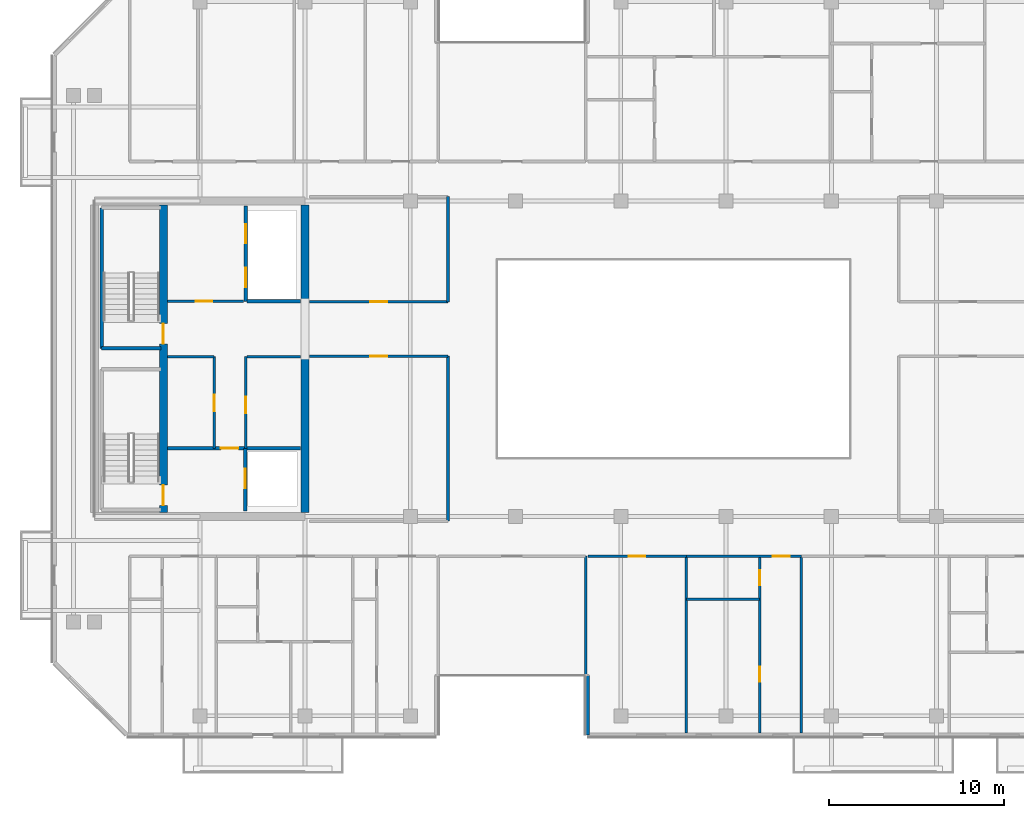
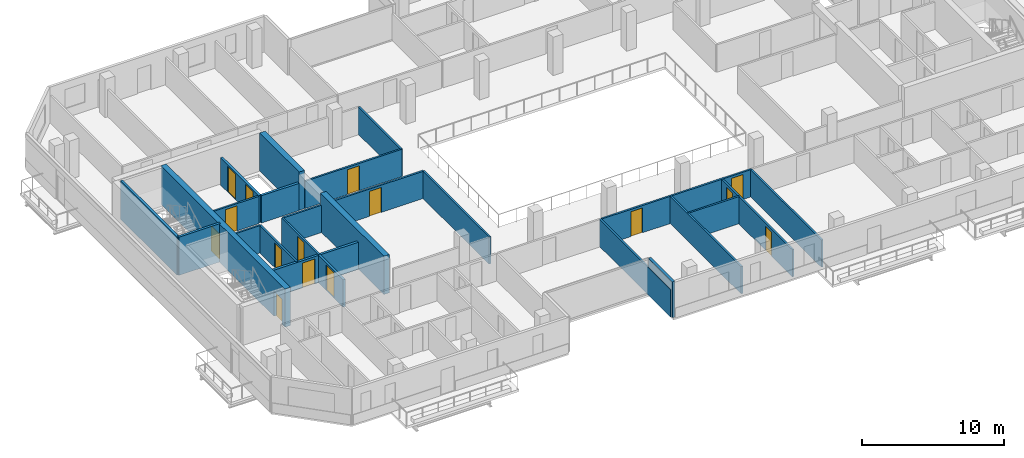
# One storey, part 11 of 20: 26 walls, 15 doors, 15 openings.
"""IFC4 building model written with IfcOpenShell, lengths in metres."""

from ifc_helpers import new_model, si_unit, direction, frame, frame_2d, origin, place, context, subcontext, project, spatial, rectangle, extrude, material, layer, layer_set, type_object, element, fill, save


model = new_model("IFC4")

# Units and contexts
model_context = context("Model", 3, precision=1e-05, world=origin(), true_north=direction((0.0, 1.0)))
body_context = subcontext(model_context, "Body", "Model", "MODEL_VIEW")
ifc_project = project(units=[si_unit("LENGTHUNIT", "METRE"), si_unit("AREAUNIT", "SQUARE_METRE"), si_unit("VOLUMEUNIT", "CUBIC_METRE"), si_unit("PLANEANGLEUNIT", "RADIAN"), si_unit("MASSUNIT", "GRAM", prefix="KILO")], contexts=[model_context])

# Site, building, storey
site_placement = place(None, origin())
site = spatial("IfcSite", under=ifc_project, at=site_placement, CompositionType="ELEMENT")
building_placement = place(site_placement, origin())
building = spatial("IfcBuilding", under=site, at=building_placement, Name="Tanjung Sevakor Pilgrim Tower", CompositionType="ELEMENT")
storey_placement = place(building_placement, frame((0.0, 0.0, 201.6298828125)))
storey = spatial("IfcBuildingStorey", under=building, at=storey_placement, Name="L56", CompositionType="ELEMENT", Elevation=201.6298828125)

# Walls
ifc_material_1 = material(Name="Concrete C60/75", Category="concrete")
ifc_layer_1 = layer(ifc_material_1, 0.449951171875)
ifc_layer_set_1 = layer_set([ifc_layer_1], Name="WALL-CW-450")
wall_type_1 = type_object("IfcWallType", Name="WALL-CW-450", PredefinedType="SHEAR", material=ifc_layer_set_1)
wall_1_placement = place(storey_placement, frame((36.0, 24.824951171875, 0.0), z_axis=(0.0, 0.0, 1.0), x_axis=(0.0, 1.0, 0.0)))
element("IfcWall", 1, at=wall_1_placement, inside=storey, type_object=wall_type_1, Name="L56 W Core Inner Shear Wall South", PredefinedType="SHEAR", context=body_context, shape_type="SweptSolid", body=[
    extrude(rectangle(XDim=8.97509765625, YDim=0.449951171875, at=frame_2d((4.487548828125, 0.0))), origin(), (0.0, 0.0, 1.0), 3.300048828125),
])
wall_2_placement = place(storey_placement, frame((36.0, 36.800048828125, 0.0), z_axis=(0.0, 0.0, 1.0), x_axis=(0.0, 1.0, 0.0)))
element("IfcWall", 2, at=wall_2_placement, inside=storey, type_object=wall_type_1, Name="L56 W Core Inner Shear Wall North", PredefinedType="SHEAR", context=body_context, shape_type="SweptSolid", body=[
    extrude(rectangle(XDim=5.574951171875, YDim=0.449951171875, at=frame_2d((2.78759765625, 0.0))), origin(), (0.0, 0.0, 1.0), 3.300048828125),
])

# Wall, openings, doors
wall_3_placement = place(storey_placement, frame((27.925048828125, 24.824951171875, 0.0), z_axis=(0.0, 0.0, 1.0), x_axis=(0.0, 1.0, 0.0)))
wall_3 = element("IfcWall", 3, at=wall_3_placement, inside=storey, type_object=wall_type_1, Name="L56 W Core Stair Spine Wall", PredefinedType="SHEAR", context=body_context, shape_type="SweptSolid", body=[
    extrude(rectangle(XDim=17.550048828125, YDim=0.449951171875, at=frame_2d((8.77490234375, 0.0))), origin(), (0.0, 0.0, 1.0), 3.300048828125),
])
opening_1_placement = place(wall_3_placement, frame((0.425048828125, 0.0, 0.0)))
opening_1 = element("IfcOpeningElement", 4, at=opening_1_placement, cuts=wall_3, Name="Opening ID-ST1", PredefinedType="OPENING", context=body_context, shape_type="SweptSolid", body=[
    extrude(rectangle(XDim=1.14990234375, YDim=2.14990234375, at=frame_2d((0.574951171875, 1.074951171875))), frame((0.0, 0.23486328125, 0.0), z_axis=(0.0, -1.0, 0.0), x_axis=(1.0, 0.0, 0.0)), (0.0, 0.0, 1.0), 0.469970703125),
])
opening_2_placement = place(wall_3_placement, frame((9.625, 0.0, 0.0)))
opening_2 = element("IfcOpeningElement", 5, at=opening_2_placement, cuts=wall_3, Name="Opening ID-ST1", PredefinedType="OPENING", context=body_context, shape_type="SweptSolid", body=[
    extrude(rectangle(XDim=1.14990234375, YDim=2.14990234375, at=frame_2d((0.574951171875, 1.074951171875))), frame((0.0, 0.23486328125, 0.0), z_axis=(0.0, -1.0, 0.0), x_axis=(1.0, 0.0, 0.0)), (0.0, 0.0, 1.0), 0.469970703125),
])
ifc_material_2 = material(Name="Fire-Rated Steel S355J2", Category="steel")
door_type_1 = type_object("IfcDoorType", Name="DT-FIRE-1150", OperationType="NOTDEFINED", PredefinedType="DOOR", material=ifc_material_2)
door_1_placement = place(opening_1_placement, origin())
door_1 = element("IfcDoor", 6, at=door_1_placement, inside=storey, type_object=door_type_1, Name="L56 TS-W1 Stair Fire Door", OperationType="SINGLE_SWING_RIGHT", OverallHeight=2.14990234375, OverallWidth=1.14990234375, PredefinedType="DOOR", context=body_context, shape_type="SweptSolid", body=[
    extrude(rectangle(XDim=1.14990234375, YDim=2.14990234375, at=frame_2d((0.574951171875, 1.074951171875))), frame((0.0, 0.02490234375, 0.0), z_axis=(0.0, -1.0, 0.0), x_axis=(1.0, 0.0, 0.0)), (0.0, 0.0, 1.0), 0.050048828125),
])
fill(opening_1, door_1)
door_2_placement = place(opening_2_placement, origin())
door_2 = element("IfcDoor", 7, at=door_2_placement, inside=storey, type_object=door_type_1, Name="L56 TS-W2 Stair Fire Door", OperationType="SINGLE_SWING_LEFT", OverallHeight=2.14990234375, OverallWidth=1.14990234375, PredefinedType="DOOR", context=body_context, shape_type="SweptSolid", body=[
    extrude(rectangle(XDim=1.14990234375, YDim=2.14990234375, at=frame_2d((0.574951171875, 1.074951171875))), frame((0.0, 0.02490234375, 0.0), z_axis=(0.0, -1.0, 0.0), x_axis=(1.0, 0.0, 0.0)), (0.0, 0.0, 1.0), 0.050048828125),
])
fill(opening_2, door_2)

# Wall
ifc_material_3 = material(Name="Concrete C40/50", Category="concrete")
ifc_layer_2 = layer(ifc_material_3, 0.14990234375)
ifc_layer_set_2 = layer_set([ifc_layer_2], Name="WT-COMP-150")
wall_type_2 = type_object("IfcWallType", Name="WT-COMP-150", PredefinedType="SOLIDWALL", material=ifc_layer_set_2)
wall_4_placement = place(storey_placement, frame((28.169921875, 33.719970703125, 0.0), z_axis=(0.0, 0.0, 1.0), x_axis=(1.0, 0.0, 0.0)))
element("IfcWall", 8, at=wall_4_placement, inside=storey, type_object=wall_type_2, Name="L56 Partition IW-L56-003", PredefinedType="SOLIDWALL", context=body_context, shape_type="SweptSolid", body=[
    extrude(rectangle(XDim=2.630126953125, YDim=0.14990234375, at=frame_2d((1.31494140625, 0.0))), origin(), (0.0, 0.0, 1.0), 2.35009765625),
])

# Wall, opening, door
wall_5_placement = place(storey_placement, frame((30.820068359375, 28.5, 0.0), z_axis=(0.0, 0.0, 1.0), x_axis=(0.0, 1.0, 0.0)))
wall_5 = element("IfcWall", 9, at=wall_5_placement, inside=storey, type_object=wall_type_2, Name="L56 Partition IW-L56-004", PredefinedType="SOLIDWALL", context=body_context, shape_type="SweptSolid", body=[
    extrude(rectangle(XDim=5.219970703125, YDim=0.14990234375, at=frame_2d((2.60986328125, 0.0))), origin(), (0.0, 0.0, 1.0), 2.35009765625),
])
opening_3_placement = place(wall_5_placement, frame((2.10009765625, 0.0, 0.0)))
opening_3 = element("IfcOpeningElement", 10, at=opening_3_placement, cuts=wall_5, Name="Opening ID-FD2", PredefinedType="OPENING", context=body_context, shape_type="SweptSolid", body=[
    extrude(rectangle(XDim=0.949951171875, YDim=2.14990234375, at=frame_2d((0.47509765625, 1.074951171875))), frame((0.0, 0.0849609375, 0.0), z_axis=(0.0, -1.0, 0.0), x_axis=(1.0, 0.0, 0.0)), (0.0, 0.0, 1.0), 0.169921875),
])
ifc_material_4 = material(Name="Fire-Rated Timber", Category="wood")
door_type_2 = type_object("IfcDoorType", Name="DT-FIRE-950", OperationType="NOTDEFINED", PredefinedType="DOOR", material=ifc_material_4)
door_3_placement = place(opening_3_placement, origin())
door_3 = element("IfcDoor", 11, at=door_3_placement, inside=storey, type_object=door_type_2, Name="L56 Housekeeping Pantry Door", OperationType="SINGLE_SWING_LEFT", OverallHeight=2.14990234375, OverallWidth=0.949951171875, PredefinedType="DOOR", context=body_context, shape_type="SweptSolid", body=[
    extrude(rectangle(XDim=0.949951171875, YDim=2.14990234375, at=frame_2d((0.47509765625, 1.074951171875))), frame((0.0, 0.02490234375, 0.0), z_axis=(0.0, -1.0, 0.0), x_axis=(1.0, 0.0, 0.0)), (0.0, 0.0, 1.0), 0.050048828125),
])
fill(opening_3, door_3)

# Wall
wall_6_placement = place(storey_placement, frame((32.679931640625, 33.719970703125, 0.0), z_axis=(0.0, 0.0, 1.0), x_axis=(1.0, 0.0, 0.0)))
element("IfcWall", 12, at=wall_6_placement, inside=storey, type_object=wall_type_2, Name="L56 Partition IW-L56-005", PredefinedType="SOLIDWALL", context=body_context, shape_type="SweptSolid", body=[
    extrude(rectangle(XDim=3.074951171875, YDim=0.14990234375, at=frame_2d((1.53759765625, 0.0))), origin(), (0.0, 0.0, 1.0), 2.35009765625),
])

# Wall, opening, door
wall_7_placement = place(storey_placement, frame((32.6201171875, 28.5, 0.0), z_axis=(0.0, 0.0, 1.0), x_axis=(0.0, 1.0, 0.0)))
wall_7 = element("IfcWall", 13, at=wall_7_placement, inside=storey, type_object=wall_type_2, Name="L56 Partition IW-L56-006", PredefinedType="SOLIDWALL", context=body_context, shape_type="SweptSolid", body=[
    extrude(rectangle(XDim=5.219970703125, YDim=0.14990234375, at=frame_2d((2.60986328125, 0.0))), origin(), (0.0, 0.0, 1.0), 2.35009765625),
])
opening_4_placement = place(wall_7_placement, frame((2.0, 0.0, 0.0)))
opening_4 = element("IfcOpeningElement", 14, at=opening_4_placement, cuts=wall_7, Name="Opening ID-FD2", PredefinedType="OPENING", context=body_context, shape_type="SweptSolid", body=[
    extrude(rectangle(XDim=0.949951171875, YDim=2.14990234375, at=frame_2d((0.47509765625, 1.074951171875))), frame((0.0, 0.0849609375, 0.0), z_axis=(0.0, -1.0, 0.0), x_axis=(1.0, 0.0, 0.0)), (0.0, 0.0, 1.0), 0.169921875),
])
door_4_placement = place(opening_4_placement, origin())
door_4 = element("IfcDoor", 15, at=door_4_placement, inside=storey, type_object=door_type_2, Name="L56 Accessible WC Door", OperationType="SINGLE_SWING_RIGHT", OverallHeight=2.14990234375, OverallWidth=0.949951171875, PredefinedType="DOOR", context=body_context, shape_type="SweptSolid", body=[
    extrude(rectangle(XDim=0.949951171875, YDim=2.14990234375, at=frame_2d((0.47509765625, 1.074951171875))), frame((0.0, 0.02490234375, 0.0), z_axis=(0.0, -1.0, 0.0), x_axis=(1.0, 0.0, 0.0)), (0.0, 0.0, 1.0), 0.050048828125),
])
fill(opening_4, door_4)

wall_8_placement = place(storey_placement, frame((28.169921875, 36.8798828125, 0.0), z_axis=(0.0, 0.0, 1.0), x_axis=(1.0, 0.0, 0.0)))
wall_8 = element("IfcWall", 16, at=wall_8_placement, inside=storey, type_object=wall_type_2, Name="L56 Partition IW-L56-007", PredefinedType="SOLIDWALL", context=body_context, shape_type="SweptSolid", body=[
    extrude(rectangle(XDim=4.330078125, YDim=0.14990234375, at=frame_2d((2.1650390625, 0.0))), origin(), (0.0, 0.0, 1.0), 2.35009765625),
])
opening_5_placement = place(wall_8_placement, frame((1.60009765625, 0.0, 0.0)))
opening_5 = element("IfcOpeningElement", 17, at=opening_5_placement, cuts=wall_8, Name="Opening ID-FD2", PredefinedType="OPENING", context=body_context, shape_type="SweptSolid", body=[
    extrude(rectangle(XDim=0.949951171875, YDim=2.14990234375, at=frame_2d((0.47509765625, 1.074951171875))), frame((0.0, 0.0849609375, 0.0), z_axis=(0.0, -1.0, 0.0), x_axis=(1.0, 0.0, 0.0)), (0.0, 0.0, 1.0), 0.169921875),
])
door_5_placement = place(opening_5_placement, origin())
door_5 = element("IfcDoor", 18, at=door_5_placement, inside=storey, type_object=door_type_2, Name="L56 Core Prayer Room Door", OperationType="SINGLE_SWING_LEFT", OverallHeight=2.14990234375, OverallWidth=0.949951171875, PredefinedType="DOOR", context=body_context, shape_type="SweptSolid", body=[
    extrude(rectangle(XDim=0.949951171875, YDim=2.14990234375, at=frame_2d((0.47509765625, 1.074951171875))), frame((0.0, 0.02490234375, 0.0), z_axis=(0.0, -1.0, 0.0), x_axis=(1.0, 0.0, 0.0)), (0.0, 0.0, 1.0), 0.050048828125),
])
fill(opening_5, door_5)

wall_9_placement = place(storey_placement, frame((36.2451171875, 33.75, 0.0), z_axis=(0.0, 0.0, 1.0), x_axis=(1.0, 0.0, 0.0)))
wall_9 = element("IfcWall", 19, at=wall_9_placement, inside=storey, type_object=wall_type_2, Name="L56 Partition IW-L56-020", PredefinedType="SOLIDWALL", context=body_context, shape_type="SweptSolid", body=[
    extrude(rectangle(XDim=7.90478515625, YDim=0.14990234375, at=frame_2d((3.952392578125, 0.0))), origin(), (0.0, 0.0, 1.0), 2.35009765625),
])
opening_6_placement = place(wall_9_placement, frame((3.4775390625, 0.0, 0.0)))
opening_6 = element("IfcOpeningElement", 20, at=opening_6_placement, cuts=wall_9, Name="Opening ID-RM1", PredefinedType="OPENING", context=body_context, shape_type="SweptSolid", body=[
    extrude(rectangle(XDim=0.949951171875, YDim=2.14990234375, at=frame_2d((0.47509765625, 1.074951171875))), frame((0.0, 0.0849609375, 0.0), z_axis=(0.0, -1.0, 0.0), x_axis=(1.0, 0.0, 0.0)), (0.0, 0.0, 1.0), 0.169921875),
])
ifc_material_5 = material(Name="Hardwood Timber", Category="wood")
door_type_3 = type_object("IfcDoorType", Name="DT-INT-950", OperationType="NOTDEFINED", PredefinedType="DOOR", material=ifc_material_5)
door_6_placement = place(opening_6_placement, origin())
door_6 = element("IfcDoor", 21, at=door_6_placement, inside=storey, type_object=door_type_3, Name="L56 West Inboard South Door", OperationType="SINGLE_SWING_LEFT", OverallHeight=2.14990234375, OverallWidth=0.949951171875, PredefinedType="DOOR", context=body_context, shape_type="SweptSolid", body=[
    extrude(rectangle(XDim=0.949951171875, YDim=2.14990234375, at=frame_2d((0.47509765625, 1.074951171875))), frame((0.0, 0.02490234375, 0.0), z_axis=(0.0, -1.0, 0.0), x_axis=(1.0, 0.0, 0.0)), (0.0, 0.0, 1.0), 0.050048828125),
])
fill(opening_6, door_6)

# Wall
wall_10_placement = place(storey_placement, frame((44.14990234375, 24.35009765625, 0.0), z_axis=(0.0, 0.0, 1.0), x_axis=(0.0, 1.0, 0.0)))
element("IfcWall", 22, at=wall_10_placement, inside=storey, type_object=wall_type_2, Name="L56 Partition IW-L56-021", PredefinedType="SOLIDWALL", context=body_context, shape_type="SweptSolid", body=[
    extrude(rectangle(XDim=9.39990234375, YDim=0.14990234375, at=frame_2d((4.699951171875, 0.0))), origin(), (0.0, 0.0, 1.0), 2.35009765625),
])

# Wall, opening, door
wall_11_placement = place(storey_placement, frame((36.2451171875, 36.85009765625, 0.0), z_axis=(0.0, 0.0, 1.0), x_axis=(1.0, 0.0, 0.0)))
wall_11 = element("IfcWall", 23, at=wall_11_placement, inside=storey, type_object=wall_type_2, Name="L56 Partition IW-L56-022", PredefinedType="SOLIDWALL", context=body_context, shape_type="SweptSolid", body=[
    extrude(rectangle(XDim=7.90478515625, YDim=0.14990234375, at=frame_2d((3.952392578125, 0.0))), origin(), (0.0, 0.0, 1.0), 2.35009765625),
])
opening_7_placement = place(wall_11_placement, frame((3.4775390625, 0.0, 0.0)))
opening_7 = element("IfcOpeningElement", 24, at=opening_7_placement, cuts=wall_11, Name="Opening ID-RM1", PredefinedType="OPENING", context=body_context, shape_type="SweptSolid", body=[
    extrude(rectangle(XDim=0.949951171875, YDim=2.14990234375, at=frame_2d((0.47509765625, 1.074951171875))), frame((0.0, 0.0849609375, 0.0), z_axis=(0.0, -1.0, 0.0), x_axis=(1.0, 0.0, 0.0)), (0.0, 0.0, 1.0), 0.169921875),
])
door_7_placement = place(opening_7_placement, origin())
door_7 = element("IfcDoor", 25, at=door_7_placement, inside=storey, type_object=door_type_3, Name="L56 West Inboard North Door", OperationType="SINGLE_SWING_RIGHT", OverallHeight=2.14990234375, OverallWidth=0.949951171875, PredefinedType="DOOR", context=body_context, shape_type="SweptSolid", body=[
    extrude(rectangle(XDim=0.949951171875, YDim=2.14990234375, at=frame_2d((0.47509765625, 1.074951171875))), frame((0.0, 0.02490234375, 0.0), z_axis=(0.0, -1.0, 0.0), x_axis=(1.0, 0.0, 0.0)), (0.0, 0.0, 1.0), 0.050048828125),
])
fill(opening_7, door_7)

# Walls
wall_12_placement = place(storey_placement, frame((44.14990234375, 36.85009765625, 0.0), z_axis=(0.0, 0.0, 1.0), x_axis=(0.0, 1.0, 0.0)))
element("IfcWall", 26, at=wall_12_placement, inside=storey, type_object=wall_type_2, Name="L56 Partition IW-L56-024", PredefinedType="SOLIDWALL", context=body_context, shape_type="SweptSolid", body=[
    extrude(rectangle(XDim=6.0, YDim=0.14990234375, at=frame_2d((3.0, 0.0))), origin(), (0.0, 0.0, 1.0), 2.35009765625),
])
for number, where, z_axis, x_axis, name in (
    (27, (52.0, 12.27001953125, 0.0), (0.0, 0.0, 1.0), (0.0, 1.0, 0.0), "L56 Partition IW-L56-033"),
    (28, (57.739013671875, 12.27001953125, 0.0), (0.0, 0.0, 1.0), (0.0, 1.0, 0.0), "L56 Partition IW-L56-052"),
):
    element("IfcWall", number, at=place(storey_placement, frame(where, z_axis=z_axis, x_axis=x_axis)), inside=storey, type_object=wall_type_2, Name=name, PredefinedType="SOLIDWALL", context=body_context, shape_type="SweptSolid", body=[
        extrude(rectangle(XDim=10.080078125, YDim=0.14990234375, at=frame_2d((5.0400390625, 0.0))), origin(), (0.0, 0.0, 1.0), 2.35009765625),
    ])

# Wall, opening, door
wall_13_placement = place(storey_placement, frame((52.1201171875, 22.35009765625, 0.0), z_axis=(0.0, 0.0, 1.0), x_axis=(1.0, 0.0, 0.0)))
wall_13 = element("IfcWall", 29, at=wall_13_placement, inside=storey, type_object=wall_type_2, Name="L56 Partition IW-L56-053", PredefinedType="SOLIDWALL", context=body_context, shape_type="SweptSolid", body=[
    extrude(rectangle(XDim=5.618896484375, YDim=0.14990234375, at=frame_2d((2.8095703125, 0.0))), origin(), (0.0, 0.0, 1.0), 2.35009765625),
])
opening_8_placement = place(wall_13_placement, frame((2.334716796875, 0.0, 0.0)))
opening_8 = element("IfcOpeningElement", 30, at=opening_8_placement, cuts=wall_13, Name="Opening ID-FD2", PredefinedType="OPENING", context=body_context, shape_type="SweptSolid", body=[
    extrude(rectangle(XDim=0.949951171875, YDim=2.14990234375, at=frame_2d((0.47509765625, 1.074951171875))), frame((0.0, 0.0849609375, 0.0), z_axis=(0.0, -1.0, 0.0), x_axis=(1.0, 0.0, 0.0)), (0.0, 0.0, 1.0), 0.169921875),
])
door_8_placement = place(opening_8_placement, origin())
door_8 = element("IfcDoor", 31, at=door_8_placement, inside=storey, type_object=door_type_2, Name="Housekeeping Pantry Door", OperationType="SINGLE_SWING_RIGHT", OverallHeight=2.14990234375, OverallWidth=0.949951171875, PredefinedType="DOOR", context=body_context, shape_type="SweptSolid", body=[
    extrude(rectangle(XDim=0.949951171875, YDim=2.14990234375, at=frame_2d((0.47509765625, 1.074951171875))), frame((0.0, 0.02490234375, 0.0), z_axis=(0.0, -1.0, 0.0), x_axis=(1.0, 0.0, 0.0)), (0.0, 0.0, 1.0), 0.050048828125),
])
fill(opening_8, door_8)

# Wall
wall_14_placement = place(storey_placement, frame((64.294921875, 12.27001953125, 0.0), z_axis=(0.0, 0.0, 1.0), x_axis=(0.0, 1.0, 0.0)))
element("IfcWall", 32, at=wall_14_placement, inside=storey, type_object=wall_type_2, Name="L56 Partition IW-L56-054", PredefinedType="SOLIDWALL", context=body_context, shape_type="SweptSolid", body=[
    extrude(rectangle(XDim=10.080078125, YDim=0.14990234375, at=frame_2d((5.0400390625, 0.0))), origin(), (0.0, 0.0, 1.0), 2.35009765625),
])

# Wall, opening, door
wall_15_placement = place(storey_placement, frame((57.739013671875, 22.35009765625, 0.0), z_axis=(0.0, 0.0, 1.0), x_axis=(1.0, 0.0, 0.0)))
wall_15 = element("IfcWall", 33, at=wall_15_placement, inside=storey, type_object=wall_type_2, Name="L56 Partition IW-L56-057", PredefinedType="SOLIDWALL", context=body_context, shape_type="SweptSolid", body=[
    extrude(rectangle(XDim=6.555908203125, YDim=0.14990234375, at=frame_2d((3.27783203125, 0.0))), origin(), (0.0, 0.0, 1.0), 2.35009765625),
])
opening_9_placement = place(wall_15_placement, frame((4.933349609375, 0.0, 0.0)))
opening_9 = element("IfcOpeningElement", 34, at=opening_9_placement, cuts=wall_15, Name="Opening ID-FD2", PredefinedType="OPENING", context=body_context, shape_type="SweptSolid", body=[
    extrude(rectangle(XDim=0.949951171875, YDim=2.14990234375, at=frame_2d((0.47509765625, 1.074951171875))), frame((0.0, 0.0849609375, 0.0), z_axis=(0.0, -1.0, 0.0), x_axis=(1.0, 0.0, 0.0)), (0.0, 0.0, 1.0), 0.169921875),
])
door_9_placement = place(opening_9_placement, origin())
door_9 = element("IfcDoor", 35, at=door_9_placement, inside=storey, type_object=door_type_2, Name="Hostel Quad Entrance", OperationType="SINGLE_SWING_LEFT", OverallHeight=2.14990234375, OverallWidth=0.949951171875, PredefinedType="DOOR", context=body_context, shape_type="SweptSolid", body=[
    extrude(rectangle(XDim=0.949951171875, YDim=2.14990234375, at=frame_2d((0.47509765625, 1.074951171875))), frame((0.0, 0.02490234375, 0.0), z_axis=(0.0, -1.0, 0.0), x_axis=(1.0, 0.0, 0.0)), (0.0, 0.0, 1.0), 0.050048828125),
])
fill(opening_9, door_9)

# Walls
ifc_material_6 = material(Name="Precast concrete C45/55", Category="concrete")
ifc_layer_3 = layer(ifc_material_6, 0.219970703125)
ifc_layer_set_3 = layer_set([ifc_layer_3], Name="WT-EW-STN4")
wall_type_3 = type_object("IfcWallType", Name="WT-EW-STN4", PredefinedType="SOLIDWALL", material=ifc_layer_set_3)
wall_16_placement = place(storey_placement, frame((52.110107421875, 15.56005859375, 0.0), z_axis=(0.0, 0.0, 1.0), x_axis=(0.0, -1.0, 0.0)))
element("IfcWall", 36, at=wall_16_placement, inside=storey, type_object=wall_type_3, Name="L56 MAIN Exterior Wall 4", PredefinedType="SOLIDWALL", context=body_context, shape_type="SweptSolid", body=[
    extrude(rectangle(XDim=3.400146484375, YDim=0.219970703125, at=frame_2d((1.7001953125, 0.0))), origin(), (0.0, 0.0, 1.0), 3.080078125),
])
ifc_material_7 = material(Name="Concrete C40/50", Category="concrete")
ifc_layer_4 = layer(ifc_material_7, 0.199951171875)
ifc_layer_set_4 = layer_set([ifc_layer_4], Name="WT-FIRE-200")
wall_type_4 = type_object("IfcWallType", Name="WT-FIRE-200", PredefinedType="SOLIDWALL", material=ifc_layer_set_4)
wall_17_placement = place(storey_placement, frame((24.39990234375, 34.199951171875, 0.0), z_axis=(0.0, 0.0, 1.0), x_axis=(1.0, 0.0, 0.0)))
element("IfcWall", 37, at=wall_17_placement, inside=storey, type_object=wall_type_4, Name="L56 TS-W2 Shaft Wall 1", PredefinedType="SOLIDWALL", context=body_context, shape_type="SweptSolid", body=[
    extrude(rectangle(XDim=3.400146484375, YDim=0.199951171875, at=frame_2d((1.7001953125, 0.0))), origin(), (0.0, 0.0, 1.0), 3.300048828125),
])
wall_18_placement = place(storey_placement, frame((24.39990234375, 42.199951171875, 0.0), z_axis=(0.0, 0.0, 1.0), x_axis=(0.0, -1.0, 0.0)))
element("IfcWall", 38, at=wall_18_placement, inside=storey, type_object=wall_type_4, Name="L56 TS-W2 Shaft Wall 3", PredefinedType="SOLIDWALL", context=body_context, shape_type="SweptSolid", body=[
    extrude(rectangle(XDim=8.0, YDim=0.199951171875, at=frame_2d((4.0, 0.0))), origin(), (0.0, 0.0, 1.0), 3.300048828125),
])

# Wall, opening, door
ifc_material_8 = material(Name="Concrete C40/50", Category="concrete")
ifc_layer_5 = layer(ifc_material_8, 0.199951171875)
ifc_layer_set_5 = layer_set([ifc_layer_5], Name="WT-FPRT-200")
wall_type_5 = type_object("IfcWallType", Name="WT-FPRT-200", PredefinedType="SOLIDWALL", material=ifc_layer_set_5)
wall_19_placement = place(storey_placement, frame((32.60009765625, 24.919921875, 0.0), z_axis=(0.0, 0.0, 1.0), x_axis=(0.0, 1.0, 0.0)))
wall_19 = element("IfcWall", 39, at=wall_19_placement, inside=storey, type_object=wall_type_5, Name="L56 Partition IW-L56-001", PredefinedType="SOLIDWALL", context=body_context, shape_type="SweptSolid", body=[
    extrude(rectangle(XDim=3.580078125, YDim=0.199951171875, at=frame_2d((1.7900390625, 0.0))), origin(), (0.0, 0.0, 1.0), 2.35009765625),
])
opening_10_placement = place(wall_19_placement, frame((1.300048828125, 0.0, 0.0)))
opening_10 = element("IfcOpeningElement", 40, at=opening_10_placement, cuts=wall_19, Name="Opening LD-1100", PredefinedType="OPENING", context=body_context, shape_type="SweptSolid", body=[
    extrude(rectangle(XDim=1.10009765625, YDim=2.199951171875, at=frame_2d((0.550048828125, 1.10009765625))), frame((0.0, 0.10986328125, 0.0), z_axis=(0.0, -1.0, 0.0), x_axis=(1.0, 0.0, 0.0)), (0.0, 0.0, 1.0), 0.219970703125),
])
ifc_material_9 = material(Name="Brushed Stainless Steel S355J2", Category="steel")
door_type_4 = type_object("IfcDoorType", Name="DT-LIFT-1100", OperationType="SLIDING_TO_LEFT", PredefinedType="DOOR", material=ifc_material_9)
door_10_placement = place(opening_10_placement, origin())
door_10 = element("IfcDoor", 41, at=door_10_placement, inside=storey, type_object=door_type_4, Name="LD-FL-W", OperationType="SLIDING_TO_LEFT", OverallHeight=2.199951171875, OverallWidth=1.10009765625, PredefinedType="DOOR", context=body_context, shape_type="SweptSolid", body=[
    extrude(rectangle(XDim=1.10009765625, YDim=2.199951171875, at=frame_2d((0.550048828125, 1.10009765625))), frame((0.0, 0.02490234375, 0.0), z_axis=(0.0, -1.0, 0.0), x_axis=(1.0, 0.0, 0.0)), (0.0, 0.0, 1.0), 0.050048828125),
])
fill(opening_10, door_10)

wall_20_placement = place(storey_placement, frame((28.169921875, 28.5, 0.0), z_axis=(0.0, 0.0, 1.0), x_axis=(1.0, 0.0, 0.0)))
wall_20 = element("IfcWall", 42, at=wall_20_placement, inside=storey, type_object=wall_type_5, Name="L56 Partition IW-L56-002", PredefinedType="SOLIDWALL", context=body_context, shape_type="SweptSolid", body=[
    extrude(rectangle(XDim=7.5849609375, YDim=0.199951171875, at=frame_2d((3.79248046875, 0.0))), origin(), (0.0, 0.0, 1.0), 2.35009765625),
])
opening_11_placement = place(wall_20_placement, frame((3.030029296875, 0.0, 0.0)))
opening_11 = element("IfcOpeningElement", 43, at=opening_11_placement, cuts=wall_20, Name="Opening ID-FD1", PredefinedType="OPENING", context=body_context, shape_type="SweptSolid", body=[
    extrude(rectangle(XDim=1.0, YDim=2.14990234375, at=frame_2d((0.5, 1.074951171875))), frame((0.0, 0.10986328125, 0.0), z_axis=(0.0, -1.0, 0.0), x_axis=(1.0, 0.0, 0.0)), (0.0, 0.0, 1.0), 0.219970703125),
])
ifc_material_10 = material(Name="Fire-Rated Steel S355J2", Category="steel")
door_type_5 = type_object("IfcDoorType", Name="DT-FIRE-1000", OperationType="NOTDEFINED", PredefinedType="DOOR", material=ifc_material_10)
door_11_placement = place(opening_11_placement, origin())
door_11 = element("IfcDoor", 44, at=door_11_placement, inside=storey, type_object=door_type_5, Name="Fire Lobby Door W", OperationType="SINGLE_SWING_RIGHT", OverallHeight=2.14990234375, OverallWidth=1.0, PredefinedType="DOOR", context=body_context, shape_type="SweptSolid", body=[
    extrude(rectangle(XDim=1.0, YDim=2.14990234375, at=frame_2d((0.5, 1.074951171875))), frame((0.0, 0.02490234375, 0.0), z_axis=(0.0, -1.0, 0.0), x_axis=(1.0, 0.0, 0.0)), (0.0, 0.0, 1.0), 0.050048828125),
])
fill(opening_11, door_11)

# Wall
wall_21_placement = place(storey_placement, frame((32.679931640625, 36.8798828125, 0.0), z_axis=(0.0, 0.0, 1.0), x_axis=(1.0, 0.0, 0.0)))
element("IfcWall", 45, at=wall_21_placement, inside=storey, type_object=wall_type_5, Name="L56 Partition IW-L56-008", PredefinedType="SOLIDWALL", context=body_context, shape_type="SweptSolid", body=[
    extrude(rectangle(XDim=3.074951171875, YDim=0.199951171875, at=frame_2d((1.53759765625, 0.0))), origin(), (0.0, 0.0, 1.0), 2.35009765625),
])

# Wall, openings, doors
wall_22_placement = place(storey_placement, frame((32.6201171875, 36.8798828125, 0.0), z_axis=(0.0, 0.0, 1.0), x_axis=(0.0, 1.0, 0.0)))
wall_22 = element("IfcWall", 46, at=wall_22_placement, inside=storey, type_object=wall_type_5, Name="L56 Partition IW-L56-009", PredefinedType="SOLIDWALL", context=body_context, shape_type="SweptSolid", body=[
    extrude(rectangle(XDim=5.420166015625, YDim=0.199951171875, at=frame_2d((2.7099609375, 0.0))), origin(), (0.0, 0.0, 1.0), 2.35009765625),
])
opening_12_placement = place(wall_22_placement, frame((0.800048828125, 0.0, 0.0)))
opening_12 = element("IfcOpeningElement", 47, at=opening_12_placement, cuts=wall_22, Name="Opening LD-1100", PredefinedType="OPENING", context=body_context, shape_type="SweptSolid", body=[
    extrude(rectangle(XDim=1.10009765625, YDim=2.199951171875, at=frame_2d((0.550048828125, 1.10009765625))), frame((0.0, 0.10986328125, 0.0), z_axis=(0.0, -1.0, 0.0), x_axis=(1.0, 0.0, 0.0)), (0.0, 0.0, 1.0), 0.219970703125),
])
opening_13_placement = place(wall_22_placement, frame((3.300048828125, 0.0, 0.0)))
opening_13 = element("IfcOpeningElement", 48, at=opening_13_placement, cuts=wall_22, Name="Opening LD-1100", PredefinedType="OPENING", context=body_context, shape_type="SweptSolid", body=[
    extrude(rectangle(XDim=1.10009765625, YDim=2.199951171875, at=frame_2d((0.550048828125, 1.10009765625))), frame((0.0, 0.10986328125, 0.0), z_axis=(0.0, -1.0, 0.0), x_axis=(1.0, 0.0, 0.0)), (0.0, 0.0, 1.0), 0.219970703125),
])
door_12_placement = place(opening_12_placement, origin())
door_12 = element("IfcDoor", 49, at=door_12_placement, inside=storey, type_object=door_type_4, Name="LD-PLH1-W", OperationType="SLIDING_TO_LEFT", OverallHeight=2.199951171875, OverallWidth=1.10009765625, PredefinedType="DOOR", context=body_context, shape_type="SweptSolid", body=[
    extrude(rectangle(XDim=1.10009765625, YDim=2.199951171875, at=frame_2d((0.550048828125, 1.10009765625))), frame((0.0, 0.02490234375, 0.0), z_axis=(0.0, -1.0, 0.0), x_axis=(1.0, 0.0, 0.0)), (0.0, 0.0, 1.0), 0.050048828125),
])
fill(opening_12, door_12)
door_13_placement = place(opening_13_placement, origin())
door_13 = element("IfcDoor", 50, at=door_13_placement, inside=storey, type_object=door_type_4, Name="LD-PLH2-W", OperationType="SLIDING_TO_RIGHT", OverallHeight=2.199951171875, OverallWidth=1.10009765625, PredefinedType="DOOR", context=body_context, shape_type="SweptSolid", body=[
    extrude(rectangle(XDim=1.10009765625, YDim=2.199951171875, at=frame_2d((0.550048828125, 1.10009765625))), frame((0.0, 0.02490234375, 0.0), z_axis=(0.0, -1.0, 0.0), x_axis=(1.0, 0.0, 0.0)), (0.0, 0.0, 1.0), 0.050048828125),
])
fill(opening_13, door_13)

# Wall
ifc_material_11 = material(Name="Gypsum Board Partition", Category="gypsum board")
ifc_layer_6 = layer(ifc_material_11, 0.14990234375)
ifc_layer_set_6 = layer_set([ifc_layer_6], Name="WT-PART-150")
wall_type_6 = type_object("IfcWallType", Name="WT-PART-150", PredefinedType="PARTITIONING", material=ifc_layer_set_6)
wall_23_placement = place(storey_placement, frame((57.739013671875, 19.89990234375, 0.0), z_axis=(0.0, 0.0, 1.0), x_axis=(1.0, 0.0, 0.0)))
element("IfcWall", 51, at=wall_23_placement, inside=storey, type_object=wall_type_6, Name="L56 Partition IW-L56-055", PredefinedType="PARTITIONING", context=body_context, shape_type="SweptSolid", body=[
    extrude(rectangle(XDim=4.180908203125, YDim=0.14990234375, at=frame_2d((2.09033203125, 0.0))), origin(), (0.0, 0.0, 1.0), 2.35009765625),
])

# Wall, openings, doors
wall_24_placement = place(storey_placement, frame((61.919921875, 12.27001953125, 0.0), z_axis=(0.0, 0.0, 1.0), x_axis=(0.0, 1.0, 0.0)))
wall_24 = element("IfcWall", 52, at=wall_24_placement, inside=storey, type_object=wall_type_6, Name="L56 Partition IW-L56-056", PredefinedType="PARTITIONING", context=body_context, shape_type="SweptSolid", body=[
    extrude(rectangle(XDim=10.080078125, YDim=0.14990234375, at=frame_2d((5.0400390625, 0.0))), origin(), (0.0, 0.0, 1.0), 2.35009765625),
])
opening_14_placement = place(wall_24_placement, frame((2.912109375, 0.0, 0.0)))
opening_14 = element("IfcOpeningElement", 53, at=opening_14_placement, cuts=wall_24, Name="Opening ID-WC1", PredefinedType="OPENING", context=body_context, shape_type="SweptSolid", body=[
    extrude(rectangle(XDim=0.85009765625, YDim=2.10009765625, at=frame_2d((0.425048828125, 1.050048828125))), frame((0.0, 0.0849609375, 0.0), z_axis=(0.0, -1.0, 0.0), x_axis=(1.0, 0.0, 0.0)), (0.0, 0.0, 1.0), 0.169921875),
])
opening_15_placement = place(wall_24_placement, frame((8.429931640625, 0.0, 0.0)))
opening_15 = element("IfcOpeningElement", 54, at=opening_15_placement, cuts=wall_24, Name="Opening ID-WC1", PredefinedType="OPENING", context=body_context, shape_type="SweptSolid", body=[
    extrude(rectangle(XDim=0.85009765625, YDim=2.10009765625, at=frame_2d((0.425048828125, 1.050048828125))), frame((0.0, 0.0849609375, 0.0), z_axis=(0.0, -1.0, 0.0), x_axis=(1.0, 0.0, 0.0)), (0.0, 0.0, 1.0), 0.169921875),
])
ifc_material_12 = material(Name="Moisture-Resistant Timber", Category="wood")
door_type_6 = type_object("IfcDoorType", Name="DT-INT-850", OperationType="NOTDEFINED", PredefinedType="DOOR", material=ifc_material_12)
door_14_placement = place(opening_14_placement, origin())
door_14 = element("IfcDoor", 55, at=door_14_placement, inside=storey, type_object=door_type_6, Name="Study Nook Door", OperationType="SINGLE_SWING_LEFT", OverallHeight=2.10009765625, OverallWidth=0.85009765625, PredefinedType="DOOR", context=body_context, shape_type="SweptSolid", body=[
    extrude(rectangle(XDim=0.85009765625, YDim=2.10009765625, at=frame_2d((0.425048828125, 1.050048828125))), frame((0.0, 0.02490234375, 0.0), z_axis=(0.0, -1.0, 0.0), x_axis=(1.0, 0.0, 0.0)), (0.0, 0.0, 1.0), 0.050048828125),
])
fill(opening_14, door_14)
door_15_placement = place(opening_15_placement, origin())
door_15 = element("IfcDoor", 56, at=door_15_placement, inside=storey, type_object=door_type_6, Name="Bathroom Door", OperationType="SINGLE_SWING_RIGHT", OverallHeight=2.10009765625, OverallWidth=0.85009765625, PredefinedType="DOOR", context=body_context, shape_type="SweptSolid", body=[
    extrude(rectangle(XDim=0.85009765625, YDim=2.10009765625, at=frame_2d((0.425048828125, 1.050048828125))), frame((0.0, 0.02490234375, 0.0), z_axis=(0.0, -1.0, 0.0), x_axis=(1.0, 0.0, 0.0)), (0.0, 0.0, 1.0), 0.050048828125),
])
fill(opening_15, door_15)

save(model, "model.ifc")
